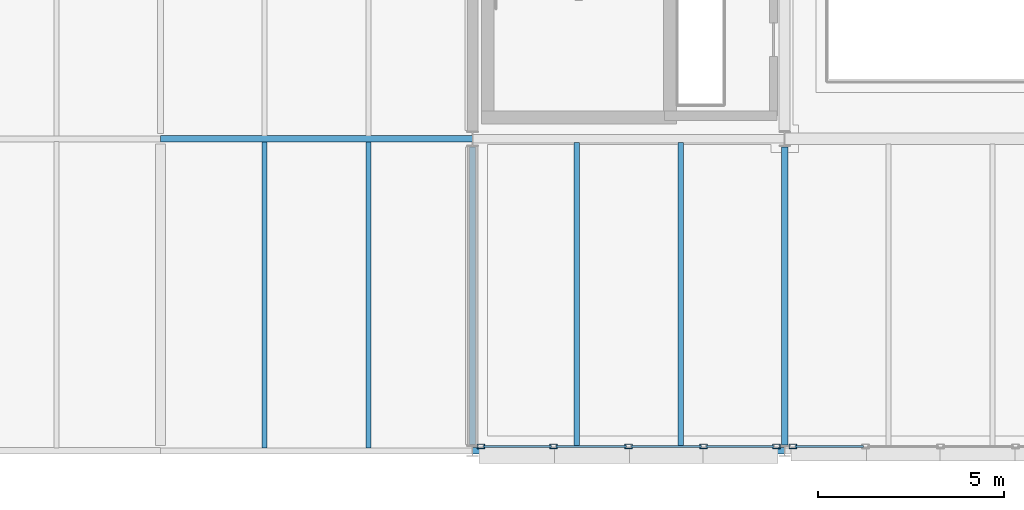
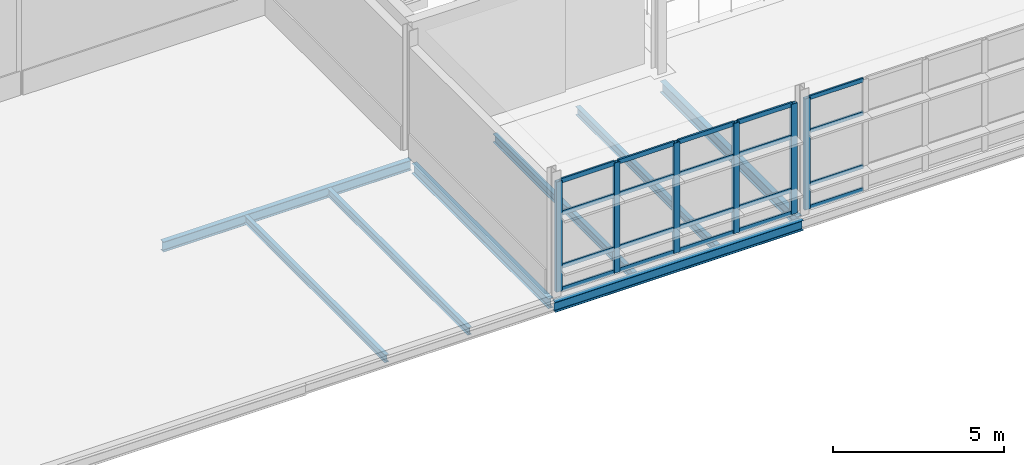
# One storey, part 25 of 129: 26 members, 8 beams, 2 elements without a shape of their own.
"""IFC4 building model written with IfcOpenShell, lengths in metres."""

import ifcopenshell
import ifcopenshell.guid

model = None  # the IFC model being written
_history = None  # IfcOwnerHistory: only IFC2X3 demands one
_inside = {}  # id of a spatial element -> (the spatial element, [elements in it])
_under = {}  # id of a project, library or spatial element -> (it, [spatial elements below it])
_declared = {}  # id of a project -> (the project, [libraries it declares])
_typed = {}  # id of a type object -> (the type object, [elements of that type])
_made_of = {}  # id of a material, layer set ... -> (it, [elements and type objects made of it])


def new_model(schema):
    """Start an empty IFC model of exactly this schema.

    Asked for "IFC4X3", IfcOpenShell would pick the latest addendum, in which some entities
    have other attributes; the version numbers below select the first issue.
    IFC2X3 requires an IfcOwnerHistory on every rooted entity: one is made here for all.
    """
    global model, _history
    if schema == "IFC4X3":
        model = ifcopenshell.file(schema_version=(4, 3, 0, 0))
    else:
        model = ifcopenshell.file(schema=schema)
    _inside.clear()
    _under.clear()
    _declared.clear()
    _typed.clear()
    _made_of.clear()
    _history = None
    if model.schema == "IFC2X3":
        org = make("IfcOrganization", Name="unknown")
        user = make(
            "IfcPersonAndOrganization",
            ThePerson=make("IfcPerson", FamilyName="unknown"),
            TheOrganization=org,
        )
        app = make(
            "IfcApplication",
            ApplicationDeveloper=org,
            Version="unknown",
            ApplicationFullName="unknown",
            ApplicationIdentifier="unknown",
        )
        _history = make(
            "IfcOwnerHistory",
            OwningUser=user,
            OwningApplication=app,
            ChangeAction="ADDED",
            CreationDate=0,
        )
    return model


def make(cls, **values):
    """One entity of the class cls with the attributes given. An attribute that is None is left unset."""
    return model.create_entity(
        cls, **{name: value for name, value in values.items() if value is not None}
    )


def rooted(cls, **values):
    """An entity with a GlobalId (a new one), such as an element, a storey or a relation."""
    return make(cls, GlobalId=ifcopenshell.guid.new(), OwnerHistory=_history, **values)


def si_unit(unit_type, name, prefix=None):
    """IfcSIUnit, for example si_unit("LENGTHUNIT", "METRE", prefix="MILLI")."""
    return make("IfcSIUnit", UnitType=unit_type, Prefix=prefix, Name=name)


def assignment(units):
    """IfcUnitAssignment: the units of a project."""
    return None if units is None else make("IfcUnitAssignment", Units=units)


def point(xyz):
    """IfcCartesianPoint."""
    return None if xyz is None else make("IfcCartesianPoint", Coordinates=xyz)


def direction(xyz):
    """IfcDirection."""
    return None if xyz is None else make("IfcDirection", DirectionRatios=xyz)


def frame(location, z_axis=None, x_axis=None):
    """IfcAxis2Placement3D, a coordinate frame: its origin and axes. An axis left out is left unset."""
    return make(
        "IfcAxis2Placement3D",
        Location=point(location),
        Axis=direction(z_axis),
        RefDirection=direction(x_axis),
    )


def frame_2d(location, x_axis=None):
    """IfcAxis2Placement2D, a coordinate frame in the plane: its origin and x axis."""
    return make(
        "IfcAxis2Placement2D", Location=point(location), RefDirection=direction(x_axis)
    )


def origin():
    """The frame at (0, 0, 0) with its axes left unset."""
    return frame((0.0, 0.0, 0.0))


def origin_2d():
    """The frame at (0, 0) in the plane with its x axis left unset."""
    return frame_2d((0.0, 0.0))


def place(relative_to, where):
    """IfcLocalPlacement: puts the frame where relative to a parent placement (None: the world)."""
    return make(
        "IfcLocalPlacement", PlacementRelTo=relative_to, RelativePlacement=where
    )


def context(
    kind, dimensions, precision=None, world=None, true_north=None, identifier=None
):
    """IfcGeometricRepresentationContext, for example the 3D "Model" context."""
    return make(
        "IfcGeometricRepresentationContext",
        ContextIdentifier=identifier,
        ContextType=kind,
        CoordinateSpaceDimension=dimensions,
        Precision=precision,
        WorldCoordinateSystem=world,
        TrueNorth=true_north,
    )


def subcontext(parent, identifier, kind, view, scale=None):
    """IfcGeometricRepresentationSubContext, for example "Body" below "Model"."""
    return make(
        "IfcGeometricRepresentationSubContext",
        ContextIdentifier=identifier,
        ContextType=kind,
        ParentContext=parent,
        TargetScale=scale,
        TargetView=view,
    )


def project(units=None, contexts=None):
    """IfcProject with its units and contexts."""
    return rooted(
        "IfcProject",
        Name="project",
        RepresentationContexts=contexts,
        UnitsInContext=assignment(units),
    )


def spatial(cls, under=None, at=None, **own):
    """A site, building, storey or space (cls), placed at a placement, below another one or the project."""
    s = rooted(cls, ObjectPlacement=at, **own)
    if under is not None:
        _under.setdefault(under.id(), (under, []))[1].append(s)
    return s


def profile(cls, at=None, kind="AREA", **sizes):
    """A parametric profile (cls). Its sizes go by their IFC names, for example OverallWidth=200.0."""
    return make(cls, ProfileType=kind, Position=at, **sizes)


def hollow_rectangle(**sizes):
    """IfcRectangleHollowProfileDef."""
    return profile("IfcRectangleHollowProfileDef", **sizes)


def i_section(**sizes):
    """IfcIShapeProfileDef."""
    return profile("IfcIShapeProfileDef", **sizes)


def extrude(swept, where, along, depth):
    """IfcExtrudedAreaSolid: the profile swept, set in the frame where, extruded along a direction by depth."""
    return make(
        "IfcExtrudedAreaSolid",
        SweptArea=swept,
        Position=where,
        ExtrudedDirection=direction(along),
        Depth=depth,
    )


def shape(context_of_items, identifier, shape_type, items):
    """IfcShapeRepresentation: the items that make up one representation, for example the "Body"."""
    return make(
        "IfcShapeRepresentation",
        ContextOfItems=context_of_items,
        RepresentationIdentifier=identifier,
        RepresentationType=shape_type,
        Items=items,
    )


def material(Name=None, Category=None):
    """IfcMaterial."""
    return make("IfcMaterial", Name=Name, Category=Category)


def material_profile(
    of_material, cross_section, Name=None, Category=None, Priority=None
):
    """IfcMaterialProfile: a cross section and its material."""
    return make(
        "IfcMaterialProfile",
        Name=Name,
        Material=of_material,
        Profile=cross_section,
        Priority=Priority,
        Category=Category,
    )


def profile_set(profiles, Name=None, composite=None):
    """IfcMaterialProfileSet."""
    return make(
        "IfcMaterialProfileSet",
        Name=Name,
        MaterialProfiles=profiles,
        CompositeProfile=composite,
    )


def made_of(thing, what):
    """Note that an element or type object is made of a material, layer set ...; save() writes the relation."""
    if what is not None:
        _made_of.setdefault(what.id(), (what, []))[1].append(thing)
    return thing


def type_object(cls, material=None, **own):
    """A type object (cls), such as IfcWallType, which elements share."""
    return made_of(rooted(cls, **own), material)


def element(
    cls,
    number,
    at=None,
    inside=None,
    cuts=None,
    type_object=None,
    material=None,
    context=None,
    identifier="Body",
    shape_type=None,
    held_by="IfcProductDefinitionShape",
    body=None,
    shapes=None,
    **own,
):
    """One element of the class cls, such as IfcWall. Its Tag is "e" and its number.

    at: its placement. inside: the storey or other place that contains it. cuts: it is an
    opening in that element (IfcRelVoidsElement). A single representation is given by context,
    identifier, shape_type and body (its items); several are given by shapes. held_by: the class
    of the entity that holds the representations. save() writes the other relations.
    """
    e = rooted(cls, Tag="e%d" % number, ObjectPlacement=at, **own)
    if body is not None:
        shapes = [shape(context, identifier, shape_type, body)]
    if shapes is not None:
        e.Representation = make(held_by, Representations=shapes)
    if inside is not None:
        _inside.setdefault(inside.id(), (inside, []))[1].append(e)
    if cuts is not None:
        rooted(
            "IfcRelVoidsElement", RelatingBuildingElement=cuts, RelatedOpeningElement=e
        )
    if type_object is not None:
        _typed.setdefault(type_object.id(), (type_object, []))[1].append(e)
    return made_of(e, material)


def aggregate(whole, parts):
    """IfcRelAggregates: a whole, such as a stair, and the parts it consists of."""
    return rooted("IfcRelAggregates", RelatingObject=whole, RelatedObjects=parts)


def save(model, path):
    """Write the relations noted so far, then the file.

    IfcRelAggregates (storeys below a building ...), IfcRelContainedInSpatialStructure (elements
    in a storey), IfcRelDefinesByType, IfcRelAssociatesMaterial and IfcRelDeclares: one each for
    every whole, place, type object, material and project.
    """
    for whole, parts in _under.values():
        aggregate(whole, parts)
    for where, things in _inside.values():
        rooted(
            "IfcRelContainedInSpatialStructure",
            RelatedElements=things,
            RelatingStructure=where,
        )
    for kind, things in _typed.values():
        rooted("IfcRelDefinesByType", RelatedObjects=things, RelatingType=kind)
    for what, things in _made_of.values():
        rooted("IfcRelAssociatesMaterial", RelatedObjects=things, RelatingMaterial=what)
    for by, libraries in _declared.values():
        rooted("IfcRelDeclares", RelatingContext=by, RelatedDefinitions=libraries)
    model.write(path)


model = new_model("IFC4")

# Units and contexts
model_context = context("Model", 3, precision=1e-05, world=origin(), true_north=direction((0.0, 1.0)))
body_context = subcontext(model_context, "Body", "Model", "MODEL_VIEW")
ifc_project = project(units=[si_unit("LENGTHUNIT", "METRE"), si_unit("AREAUNIT", "SQUARE_METRE"), si_unit("VOLUMEUNIT", "CUBIC_METRE"), si_unit("PLANEANGLEUNIT", "RADIAN"), si_unit("MASSUNIT", "GRAM", prefix="KILO")], contexts=[model_context])

# Site, building, storey
site_placement = place(None, origin())
site = spatial("IfcSite", under=ifc_project, at=site_placement, CompositionType="ELEMENT")
building_placement = place(site_placement, origin())
building = spatial("IfcBuilding", under=site, at=building_placement, Name="Mersafa Astral City Hall", CompositionType="ELEMENT")
storey_placement = place(building_placement, frame((0.0, 0.0, 5.39990234375)))
storey = spatial("IfcBuildingStorey", under=building, at=storey_placement, Name="L01", CompositionType="ELEMENT", Elevation=5.39990234375)

# Curtain wall, members
ifc_material_1 = material(Name="Anodised bronze aluminium framing", Category="aluminium")
curtain_wall_type_1 = type_object("IfcCurtainWallType", Name="ENV-CW-5", PredefinedType="USERDEFINED", material=ifc_material_1)
curtain_wall_1_placement = place(storey_placement, origin())
curtain_wall_1 = element("IfcCurtainWall", 1, at=curtain_wall_1_placement, inside=storey, type_object=curtain_wall_type_1, Name="L01 Unitised solar curtain wall 46", ObjectType="UNITISED CURTAIN WALL", PredefinedType="USERDEFINED")
ifc_material_profile_1 = material_profile(ifc_material_1, hollow_rectangle(XDim=0.1201171875, YDim=0.199951171875, WallThickness=0.008056640625, at=origin_2d()), Name="RHS 120x200x8")
ifc_profile_set_1 = profile_set([ifc_material_profile_1], Name="Anodised bronze aluminium framing")
member_type_1 = type_object("IfcMemberType", Name="ENV-CW-MUL-2", PredefinedType="MULLION", material=ifc_profile_set_1)
member_1_placement = place(storey_placement, frame((117.822021484375, 0.1201171875, -0.001953125), z_axis=(0.0, 0.0, 1.0), x_axis=(0.0, 1.0, 0.0)))
member_1 = element("IfcMember", 2, at=member_1_placement, type_object=member_type_1, Name="CW-5 mullion 1", PredefinedType="MULLION", context=body_context, shape_type="SweptSolid", body=[
    extrude(hollow_rectangle(XDim=0.1201171875, YDim=0.199951171875, WallThickness=0.008056640625, at=origin_2d()), origin(), (0.0, 0.0, 1.0), 3.93896484375),
])
member_2_placement = place(storey_placement, frame((119.781005859375, 0.1201171875, -0.001953125), z_axis=(0.0, 0.0, 1.0), x_axis=(0.0, 1.0, 0.0)))
member_2 = element("IfcMember", 3, at=member_2_placement, type_object=member_type_1, Name="CW-5 mullion 2", PredefinedType="MULLION", context=body_context, shape_type="SweptSolid", body=[
    extrude(hollow_rectangle(XDim=0.1201171875, YDim=0.199951171875, WallThickness=0.008056640625, at=origin_2d()), origin(), (0.0, 0.0, 1.0), 3.93896484375),
])
member_3_placement = place(storey_placement, frame((121.800048828125, 0.1201171875, -0.001953125), z_axis=(0.0, 0.0, 1.0), x_axis=(0.0, 1.0, 0.0)))
member_3 = element("IfcMember", 4, at=member_3_placement, type_object=member_type_1, Name="CW-5 mullion 3", PredefinedType="MULLION", context=body_context, shape_type="SweptSolid", body=[
    extrude(hollow_rectangle(XDim=0.1201171875, YDim=0.199951171875, WallThickness=0.008056640625, at=origin_2d()), origin(), (0.0, 0.0, 1.0), 3.93896484375),
])
member_4_placement = place(storey_placement, frame((123.819091796875, 0.1201171875, -0.001953125), z_axis=(0.0, 0.0, 1.0), x_axis=(0.0, 1.0, 0.0)))
member_4 = element("IfcMember", 5, at=member_4_placement, type_object=member_type_1, Name="CW-5 mullion 4", PredefinedType="MULLION", context=body_context, shape_type="SweptSolid", body=[
    extrude(hollow_rectangle(XDim=0.1201171875, YDim=0.199951171875, WallThickness=0.008056640625, at=origin_2d()), origin(), (0.0, 0.0, 1.0), 3.93896484375),
])
member_5_placement = place(storey_placement, frame((125.778076171875, 0.1201171875, -0.001953125), z_axis=(0.0, 0.0, 1.0), x_axis=(0.0, 1.0, 0.0)))
member_5 = element("IfcMember", 6, at=member_5_placement, type_object=member_type_1, Name="CW-5 mullion 5", PredefinedType="MULLION", context=body_context, shape_type="SweptSolid", body=[
    extrude(hollow_rectangle(XDim=0.1201171875, YDim=0.199951171875, WallThickness=0.008056640625, at=origin_2d()), origin(), (0.0, 0.0, 1.0), 3.93896484375),
])

curtain_wall_type_2 = type_object("IfcCurtainWallType", Name="ENV-CW-6", PredefinedType="USERDEFINED", material=ifc_material_1)
curtain_wall_2_placement = place(storey_placement, origin())
curtain_wall_2 = element("IfcCurtainWall", 7, at=curtain_wall_2_placement, inside=storey, type_object=curtain_wall_type_2, Name="L01 Unitised solar curtain wall 47", ObjectType="UNITISED CURTAIN WALL", PredefinedType="USERDEFINED")
member_6_placement = place(storey_placement, frame((126.221923828125, 0.1201171875, -0.001953125), z_axis=(0.0, 0.0, 1.0), x_axis=(0.0, 1.0, 0.0)))
member_6 = element("IfcMember", 8, at=member_6_placement, type_object=member_type_1, Name="CW-6 mullion 1", PredefinedType="MULLION", context=body_context, shape_type="SweptSolid", body=[
    extrude(hollow_rectangle(XDim=0.1201171875, YDim=0.199951171875, WallThickness=0.008056640625, at=origin_2d()), origin(), (0.0, 0.0, 1.0), 3.968994140625),
])
ifc_material_profile_2 = material_profile(ifc_material_1, hollow_rectangle(XDim=0.06005859375, YDim=0.139892578125, WallThickness=0.00390625, at=origin_2d()), Name="RHS 60x140x4")
ifc_profile_set_2 = profile_set([ifc_material_profile_2], Name="Anodised bronze aluminium framing")
member_type_2 = type_object("IfcMemberType", Name="ENV-CW-TRN-1", PredefinedType="USERDEFINED", material=ifc_profile_set_2)
member_7_placement = place(storey_placement, frame((126.281982421875, 0.1201171875, 0.028076171875), z_axis=(1.0, 0.0, 0.0), x_axis=(0.0, 1.0, 0.0)))
member_7 = element("IfcMember", 9, at=member_7_placement, type_object=member_type_2, Name="CW-6 transom 1.1", ObjectType="TRANSOM", PredefinedType="USERDEFINED", context=body_context, shape_type="SweptSolid", body=[
    extrude(hollow_rectangle(XDim=0.06005859375, YDim=0.139892578125, WallThickness=0.00390625, at=origin_2d()), origin(), (0.0, 0.0, 1.0), 1.839111328125),
])
member_8_placement = place(storey_placement, frame((126.281982421875, 0.1201171875, 0.85009765625), z_axis=(1.0, 0.0, 0.0), x_axis=(0.0, 1.0, 0.0)))
member_8 = element("IfcMember", 10, at=member_8_placement, type_object=member_type_2, Name="CW-6 transom 1.2", ObjectType="TRANSOM", PredefinedType="USERDEFINED", context=body_context, shape_type="SweptSolid", body=[
    extrude(hollow_rectangle(XDim=0.06005859375, YDim=0.139892578125, WallThickness=0.00390625, at=origin_2d()), origin(), (0.0, 0.0, 1.0), 1.839111328125),
])
member_9_placement = place(storey_placement, frame((126.281982421875, 0.1201171875, 2.75), z_axis=(1.0, 0.0, 0.0), x_axis=(0.0, 1.0, 0.0)))
member_9 = element("IfcMember", 11, at=member_9_placement, type_object=member_type_2, Name="CW-6 transom 1.3", ObjectType="TRANSOM", PredefinedType="USERDEFINED", context=body_context, shape_type="SweptSolid", body=[
    extrude(hollow_rectangle(XDim=0.06005859375, YDim=0.139892578125, WallThickness=0.00390625, at=origin_2d()), origin(), (0.0, 0.0, 1.0), 1.839111328125),
])
member_10_placement = place(storey_placement, frame((126.281982421875, 0.1201171875, 3.93701171875), z_axis=(1.0, 0.0, 0.0), x_axis=(0.0, 1.0, 0.0)))
member_10 = element("IfcMember", 12, at=member_10_placement, type_object=member_type_2, Name="CW-6 transom 1.4", ObjectType="TRANSOM", PredefinedType="USERDEFINED", context=body_context, shape_type="SweptSolid", body=[
    extrude(hollow_rectangle(XDim=0.06005859375, YDim=0.139892578125, WallThickness=0.00390625, at=origin_2d()), origin(), (0.0, 0.0, 1.0), 1.839111328125),
])
aggregate(curtain_wall_2, [member_6, member_7, member_8, member_9, member_10])

# Member
ifc_material_profile_3 = material_profile(ifc_material_1, hollow_rectangle(XDim=0.06005859375, YDim=0.159912109375, WallThickness=0.00390625, at=origin_2d()), Name="RHS 60x160x4")
ifc_profile_set_3 = profile_set([ifc_material_profile_3], Name="Anodised bronze aluminium framing")
member_type_3 = type_object("IfcMemberType", Name="ENV-CW-TRN-2", PredefinedType="USERDEFINED", material=ifc_profile_set_3)
member_11_placement = place(storey_placement, frame((117.882080078125, 0.1201171875, 0.028076171875), z_axis=(1.0, 0.0, 0.0), x_axis=(0.0, 1.0, 0.0)))
member_11 = element("IfcMember", 13, at=member_11_placement, type_object=member_type_3, Name="CW-5 transom 1.1", ObjectType="TRANSOM", PredefinedType="USERDEFINED", context=body_context, shape_type="SweptSolid", body=[
    extrude(hollow_rectangle(XDim=0.06005859375, YDim=0.159912109375, WallThickness=0.00390625, at=origin_2d()), origin(), (0.0, 0.0, 1.0), 1.8388671875),
])

member_12_placement = place(storey_placement, frame((117.882080078125, 0.1201171875, 0.85009765625), z_axis=(1.0, 0.0, 0.0), x_axis=(0.0, 1.0, 0.0)))
member_12 = element("IfcMember", 14, at=member_12_placement, type_object=member_type_3, Name="CW-5 transom 1.2", ObjectType="TRANSOM", PredefinedType="USERDEFINED", context=body_context, shape_type="SweptSolid", body=[
    extrude(hollow_rectangle(XDim=0.06005859375, YDim=0.159912109375, WallThickness=0.00390625, at=origin_2d()), origin(), (0.0, 0.0, 1.0), 1.8388671875),
])

member_13_placement = place(storey_placement, frame((117.882080078125, 0.1201171875, 2.75), z_axis=(1.0, 0.0, 0.0), x_axis=(0.0, 1.0, 0.0)))
member_13 = element("IfcMember", 15, at=member_13_placement, type_object=member_type_3, Name="CW-5 transom 1.3", ObjectType="TRANSOM", PredefinedType="USERDEFINED", context=body_context, shape_type="SweptSolid", body=[
    extrude(hollow_rectangle(XDim=0.06005859375, YDim=0.159912109375, WallThickness=0.00390625, at=origin_2d()), origin(), (0.0, 0.0, 1.0), 1.8388671875),
])

member_14_placement = place(storey_placement, frame((117.882080078125, 0.1201171875, 3.906982421875), z_axis=(1.0, 0.0, 0.0), x_axis=(0.0, 1.0, 0.0)))
member_14 = element("IfcMember", 16, at=member_14_placement, type_object=member_type_3, Name="CW-5 transom 1.4", ObjectType="TRANSOM", PredefinedType="USERDEFINED", context=body_context, shape_type="SweptSolid", body=[
    extrude(hollow_rectangle(XDim=0.06005859375, YDim=0.159912109375, WallThickness=0.00390625, at=origin_2d()), origin(), (0.0, 0.0, 1.0), 1.8388671875),
])

member_15_placement = place(storey_placement, frame((119.841064453125, 0.1201171875, 0.028076171875), z_axis=(1.0, 0.0, 0.0), x_axis=(0.0, 1.0, 0.0)))
member_15 = element("IfcMember", 17, at=member_15_placement, type_object=member_type_3, Name="CW-5 transom 2.1", ObjectType="TRANSOM", PredefinedType="USERDEFINED", context=body_context, shape_type="SweptSolid", body=[
    extrude(hollow_rectangle(XDim=0.06005859375, YDim=0.159912109375, WallThickness=0.00390625, at=origin_2d()), origin(), (0.0, 0.0, 1.0), 1.89892578125),
])

member_16_placement = place(storey_placement, frame((119.841064453125, 0.1201171875, 0.85009765625), z_axis=(1.0, 0.0, 0.0), x_axis=(0.0, 1.0, 0.0)))
member_16 = element("IfcMember", 18, at=member_16_placement, type_object=member_type_3, Name="CW-5 transom 2.2", ObjectType="TRANSOM", PredefinedType="USERDEFINED", context=body_context, shape_type="SweptSolid", body=[
    extrude(hollow_rectangle(XDim=0.06005859375, YDim=0.159912109375, WallThickness=0.00390625, at=origin_2d()), origin(), (0.0, 0.0, 1.0), 1.89892578125),
])

member_17_placement = place(storey_placement, frame((119.841064453125, 0.1201171875, 2.75), z_axis=(1.0, 0.0, 0.0), x_axis=(0.0, 1.0, 0.0)))
member_17 = element("IfcMember", 19, at=member_17_placement, type_object=member_type_3, Name="CW-5 transom 2.3", ObjectType="TRANSOM", PredefinedType="USERDEFINED", context=body_context, shape_type="SweptSolid", body=[
    extrude(hollow_rectangle(XDim=0.06005859375, YDim=0.159912109375, WallThickness=0.00390625, at=origin_2d()), origin(), (0.0, 0.0, 1.0), 1.89892578125),
])

member_18_placement = place(storey_placement, frame((119.841064453125, 0.1201171875, 3.906982421875), z_axis=(1.0, 0.0, 0.0), x_axis=(0.0, 1.0, 0.0)))
member_18 = element("IfcMember", 20, at=member_18_placement, type_object=member_type_3, Name="CW-5 transom 2.4", ObjectType="TRANSOM", PredefinedType="USERDEFINED", context=body_context, shape_type="SweptSolid", body=[
    extrude(hollow_rectangle(XDim=0.06005859375, YDim=0.159912109375, WallThickness=0.00390625, at=origin_2d()), origin(), (0.0, 0.0, 1.0), 1.89892578125),
])

member_19_placement = place(storey_placement, frame((121.860107421875, 0.1201171875, 0.028076171875), z_axis=(1.0, 0.0, 0.0), x_axis=(0.0, 1.0, 0.0)))
member_19 = element("IfcMember", 21, at=member_19_placement, type_object=member_type_3, Name="CW-5 transom 3.1", ObjectType="TRANSOM", PredefinedType="USERDEFINED", context=body_context, shape_type="SweptSolid", body=[
    extrude(hollow_rectangle(XDim=0.06005859375, YDim=0.159912109375, WallThickness=0.00390625, at=origin_2d()), origin(), (0.0, 0.0, 1.0), 1.89892578125),
])

member_20_placement = place(storey_placement, frame((121.860107421875, 0.1201171875, 0.85009765625), z_axis=(1.0, 0.0, 0.0), x_axis=(0.0, 1.0, 0.0)))
member_20 = element("IfcMember", 22, at=member_20_placement, type_object=member_type_3, Name="CW-5 transom 3.2", ObjectType="TRANSOM", PredefinedType="USERDEFINED", context=body_context, shape_type="SweptSolid", body=[
    extrude(hollow_rectangle(XDim=0.06005859375, YDim=0.159912109375, WallThickness=0.00390625, at=origin_2d()), origin(), (0.0, 0.0, 1.0), 1.89892578125),
])

member_21_placement = place(storey_placement, frame((121.860107421875, 0.1201171875, 2.75), z_axis=(1.0, 0.0, 0.0), x_axis=(0.0, 1.0, 0.0)))
member_21 = element("IfcMember", 23, at=member_21_placement, type_object=member_type_3, Name="CW-5 transom 3.3", ObjectType="TRANSOM", PredefinedType="USERDEFINED", context=body_context, shape_type="SweptSolid", body=[
    extrude(hollow_rectangle(XDim=0.06005859375, YDim=0.159912109375, WallThickness=0.00390625, at=origin_2d()), origin(), (0.0, 0.0, 1.0), 1.89892578125),
])

member_22_placement = place(storey_placement, frame((121.860107421875, 0.1201171875, 3.906982421875), z_axis=(1.0, 0.0, 0.0), x_axis=(0.0, 1.0, 0.0)))
member_22 = element("IfcMember", 24, at=member_22_placement, type_object=member_type_3, Name="CW-5 transom 3.4", ObjectType="TRANSOM", PredefinedType="USERDEFINED", context=body_context, shape_type="SweptSolid", body=[
    extrude(hollow_rectangle(XDim=0.06005859375, YDim=0.159912109375, WallThickness=0.00390625, at=origin_2d()), origin(), (0.0, 0.0, 1.0), 1.89892578125),
])

member_23_placement = place(storey_placement, frame((123.87890625, 0.1201171875, 0.028076171875), z_axis=(1.0, 0.0, 0.0), x_axis=(0.0, 1.0, 0.0)))
member_23 = element("IfcMember", 25, at=member_23_placement, type_object=member_type_3, Name="CW-5 transom 4.1", ObjectType="TRANSOM", PredefinedType="USERDEFINED", context=body_context, shape_type="SweptSolid", body=[
    extrude(hollow_rectangle(XDim=0.06005859375, YDim=0.159912109375, WallThickness=0.00390625, at=origin_2d()), origin(), (0.0, 0.0, 1.0), 1.839111328125),
])

member_24_placement = place(storey_placement, frame((123.87890625, 0.1201171875, 0.85009765625), z_axis=(1.0, 0.0, 0.0), x_axis=(0.0, 1.0, 0.0)))
member_24 = element("IfcMember", 26, at=member_24_placement, type_object=member_type_3, Name="CW-5 transom 4.2", ObjectType="TRANSOM", PredefinedType="USERDEFINED", context=body_context, shape_type="SweptSolid", body=[
    extrude(hollow_rectangle(XDim=0.06005859375, YDim=0.159912109375, WallThickness=0.00390625, at=origin_2d()), origin(), (0.0, 0.0, 1.0), 1.839111328125),
])

member_25_placement = place(storey_placement, frame((123.87890625, 0.1201171875, 2.75), z_axis=(1.0, 0.0, 0.0), x_axis=(0.0, 1.0, 0.0)))
member_25 = element("IfcMember", 27, at=member_25_placement, type_object=member_type_3, Name="CW-5 transom 4.3", ObjectType="TRANSOM", PredefinedType="USERDEFINED", context=body_context, shape_type="SweptSolid", body=[
    extrude(hollow_rectangle(XDim=0.06005859375, YDim=0.159912109375, WallThickness=0.00390625, at=origin_2d()), origin(), (0.0, 0.0, 1.0), 1.839111328125),
])

member_26_placement = place(storey_placement, frame((123.87890625, 0.1201171875, 3.906982421875), z_axis=(1.0, 0.0, 0.0), x_axis=(0.0, 1.0, 0.0)))
member_26 = element("IfcMember", 28, at=member_26_placement, type_object=member_type_3, Name="CW-5 transom 4.4", ObjectType="TRANSOM", PredefinedType="USERDEFINED", context=body_context, shape_type="SweptSolid", body=[
    extrude(hollow_rectangle(XDim=0.06005859375, YDim=0.159912109375, WallThickness=0.00390625, at=origin_2d()), origin(), (0.0, 0.0, 1.0), 1.839111328125),
])

aggregate(curtain_wall_1, [member_1, member_2, member_3, member_4, member_5, member_11, member_12, member_13, member_14, member_15, member_16, member_17, member_18, member_19, member_20, member_21, member_22, member_23, member_24, member_25, member_26])

# Beams
ifc_material_2 = material(Name="Steel S355", Category="steel")
ifc_material_profile_4 = material_profile(ifc_material_2, i_section(OverallWidth=0.179931640625, OverallDepth=0.39990234375, WebThickness=0.008544921875, FlangeThickness=0.013427734375, FilletRadius=0.02099609375, at=origin_2d()), Name="IPE 400")
ifc_profile_set_4 = profile_set([ifc_material_profile_4], Name="Steel S355")
beam_type_1 = type_object("IfcBeamType", Name="STR-BM-IPE400", PredefinedType="BEAM", material=ifc_profile_set_4)
beam_1_placement = place(storey_placement, frame((126.0, 0.1650390625, -0.4248046875), z_axis=(0.0, 1.0, 0.0), x_axis=(-1.0, 0.0, 0.0)))
element("IfcBeam", 29, at=beam_1_placement, inside=storey, type_object=beam_type_1, Name="L01 Primary girder Y 15-0", PredefinedType="BEAM", context=body_context, shape_type="SweptSolid", body=[
    extrude(i_section(OverallWidth=0.179931640625, OverallDepth=0.39990234375, WebThickness=0.008544921875, FlangeThickness=0.013427734375, FilletRadius=0.02099609375, at=origin_2d()), origin(), (0.0, 0.0, 1.0), 8.014892578125),
])
ifc_material_profile_5 = material_profile(ifc_material_2, i_section(OverallWidth=0.135009765625, OverallDepth=0.27001953125, WebThickness=0.006591796875, FlangeThickness=0.01025390625, FilletRadius=0.014892578125, at=origin_2d()), Name="IPE 270")
ifc_profile_set_5 = profile_set([ifc_material_profile_5], Name="Steel S355")
beam_type_2 = type_object("IfcBeamType", Name="STR-BM-JOIST-IPE270", PredefinedType="JOIST", material=ifc_profile_set_5)
for number, where, z_axis, x_axis, name in (
    (30, (112.0, 0.074951171875, -0.35986328125), (0.0, 1.0, 0.0), (-1.0, 0.0, 0.0), "L01 Flat roof secondary joist 35"),
    (31, (114.800048828125, 0.074951171875, -0.35986328125), (0.0, 1.0, 0.0), (-1.0, 0.0, 0.0), "L01 Flat roof secondary joist 36"),
):
    element("IfcBeam", number, at=place(storey_placement, frame(where, z_axis=z_axis, x_axis=x_axis)), inside=storey, type_object=beam_type_2, Name=name, PredefinedType="JOIST", context=body_context, shape_type="SweptSolid", body=[
        extrude(i_section(OverallWidth=0.135009765625, OverallDepth=0.27001953125, WebThickness=0.006591796875, FlangeThickness=0.01025390625, FilletRadius=0.014892578125, at=origin_2d()), origin(), (0.0, 0.0, 1.0), 8.2451171875),
    ])
ifc_material_profile_6 = material_profile(ifc_material_2, i_section(OverallWidth=0.14990234375, OverallDepth=0.300048828125, WebThickness=0.007080078125, FlangeThickness=0.0107421875, FilletRadius=0.014892578125, at=origin_2d()), Name="IPE 300")
ifc_profile_set_6 = profile_set([ifc_material_profile_6], Name="Steel S355")
beam_type_3 = type_object("IfcBeamType", Name="STR-BM-JOIST-IPE300", PredefinedType="JOIST", material=ifc_profile_set_6)
for number, where, z_axis, x_axis, name in (
    (32, (120.39990234375, 0.080078125, -0.375), (0.0, 1.0, 0.0), (-1.0, 0.0, 0.0), "L01 Composite secondary floor joist 332"),
    (33, (123.199951171875, 0.080078125, -0.375), (0.0, 1.0, 0.0), (-1.0, 0.0, 0.0), "L01 Composite secondary floor joist 333"),
):
    element("IfcBeam", number, at=place(storey_placement, frame(where, z_axis=z_axis, x_axis=x_axis)), inside=storey, type_object=beam_type_3, Name=name, PredefinedType="JOIST", context=body_context, shape_type="SweptSolid", body=[
        extrude(i_section(OverallWidth=0.14990234375, OverallDepth=0.300048828125, WebThickness=0.007080078125, FlangeThickness=0.0107421875, FilletRadius=0.014892578125, at=origin_2d()), origin(), (0.0, 0.0, 1.0), 8.21484375),
    ])
ifc_material_profile_7 = material_profile(ifc_material_2, i_section(OverallWidth=0.169921875, OverallDepth=0.360107421875, WebThickness=0.008056640625, FlangeThickness=0.0126953125, FilletRadius=0.01806640625, at=origin_2d()), Name="IPE 360")
ifc_profile_set_7 = profile_set([ifc_material_profile_7], Name="Steel S355")
beam_type_4 = type_object("IfcBeamType", Name="STR-BM-SPANDREL-IPE360", PredefinedType="SPANDREL", material=ifc_profile_set_7)
for number, where, z_axis, x_axis, name in (
    (34, (117.60302734375, 0.0, -0.40478515625), (1.0, 0.0, 0.0), (0.0, 1.0, 0.0), "L01 Primary girder X 14-0"),
    (35, (109.202880859375, 8.39990234375, -0.40478515625), (1.0, 0.0, 0.0), (0.0, 1.0, 0.0), "L01 Primary girder X 13-1"),
):
    element("IfcBeam", number, at=place(storey_placement, frame(where, z_axis=z_axis, x_axis=x_axis)), inside=storey, type_object=beam_type_4, Name=name, PredefinedType="SPANDREL", context=body_context, shape_type="SweptSolid", body=[
        extrude(i_section(OverallWidth=0.169921875, OverallDepth=0.360107421875, WebThickness=0.008056640625, FlangeThickness=0.0126953125, FilletRadius=0.01806640625, at=origin_2d()), origin(), (0.0, 0.0, 1.0), 8.39404296875),
    ])
beam_2_placement = place(storey_placement, frame((117.60009765625, 0.175048828125, -0.40478515625), z_axis=(0.0, 1.0, 0.0), x_axis=(-1.0, 0.0, 0.0)))
element("IfcBeam", 36, at=beam_2_placement, inside=storey, type_object=beam_type_4, Name="L01 Primary girder Y 14-0", PredefinedType="SPANDREL", context=body_context, shape_type="SweptSolid", body=[
    extrude(i_section(OverallWidth=0.169921875, OverallDepth=0.360107421875, WebThickness=0.008056640625, FlangeThickness=0.0126953125, FilletRadius=0.01806640625, at=origin_2d()), origin(), (0.0, 0.0, 1.0), 8.0048828125),
])

save(model, "model.ifc")
